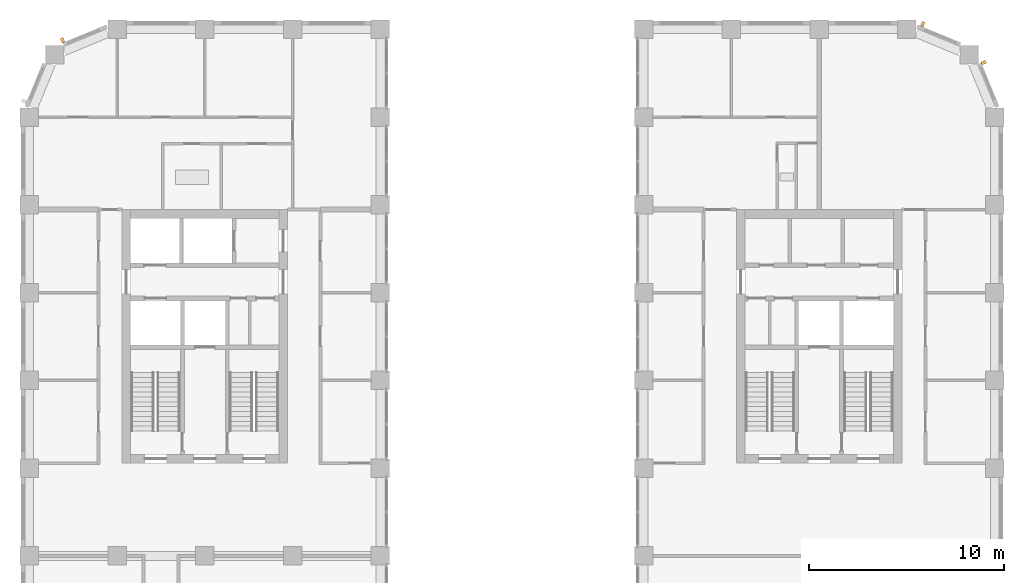
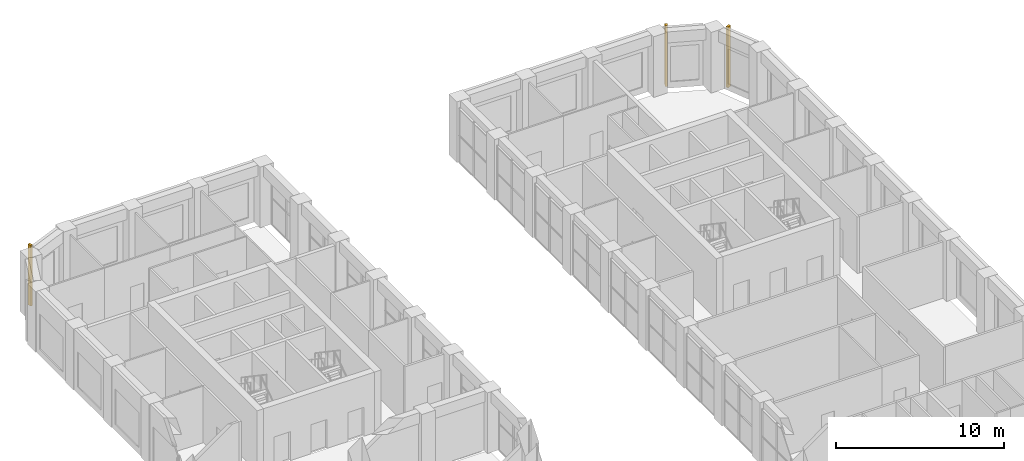
# One storey, part 18 of 19: 3 shading devices.
"""IFC4 building model written with IfcOpenShell, lengths in metres."""

from ifc_helpers import new_model, si_unit, direction, frame, origin, origin_2d, place, context, subcontext, project, spatial, rectangle, extrude, material, type_object, element, save


model = new_model("IFC4")

# Units and contexts
model_context = context("Model", 3, precision=1e-05, world=origin(), true_north=direction((0.0, 1.0)))
body_context = subcontext(model_context, "Body", "Model", "MODEL_VIEW")
ifc_project = project(units=[si_unit("LENGTHUNIT", "METRE"), si_unit("AREAUNIT", "SQUARE_METRE"), si_unit("VOLUMEUNIT", "CUBIC_METRE"), si_unit("PLANEANGLEUNIT", "RADIAN"), si_unit("MASSUNIT", "GRAM", prefix="KILO")], contexts=[model_context])

# Site, building, storey
site_placement = place(None, origin())
site = spatial("IfcSite", under=ifc_project, at=site_placement, CompositionType="ELEMENT")
building_placement = place(site_placement, origin())
building = spatial("IfcBuilding", under=site, at=building_placement, Name="Girih Gate Residences", CompositionType="ELEMENT")
storey_placement = place(building_placement, frame((0.0, 0.0, 163.800048828125)))
storey = spatial("IfcBuildingStorey", under=building, at=storey_placement, Name="L45", CompositionType="ELEMENT", Elevation=163.800048828125)

# Shading devices
ifc_material = material(Name="Precast concrete C50/60", Category="concrete")
shading_device_type = type_object("IfcShadingDeviceType", Name="Corner rib 150x250", PredefinedType="USERDEFINED", material=ifc_material)
for number, where, z_axis, x_axis, name in (
    (1, (1.705322265625, 48.937744140625, 0.0), (0.0, 0.0, 1.0), (-0.923879532511, -0.382683432365, 0.0), "Corner rib NW0045_0495.0"),
    (2, (48.937744140625, 47.794677734375, 0.0), (0.0, 0.0, 1.0), (-0.382683432365, 0.923879532511, 0.0), "Corner rib NE0495_0450.0"),
    (3, (45.808349609375, 49.760498046875, 0.0), (0.0, 0.0, 1.0), (-0.923879532511, 0.382683432365, 0.0), "Corner rib NE0482_0482.0"),
):
    element("IfcShadingDevice", number, at=place(storey_placement, frame(where, z_axis=z_axis, x_axis=x_axis)), inside=storey, type_object=shading_device_type, Name=name, ObjectType="FIN", PredefinedType="USERDEFINED", context=body_context, shape_type="SweptSolid", body=[
        extrude(rectangle(XDim=0.14990234375, YDim=0.25, at=origin_2d()), origin(), (0.0, 0.0, 1.0), 4.39990234375),
    ])

save(model, "model.ifc")
